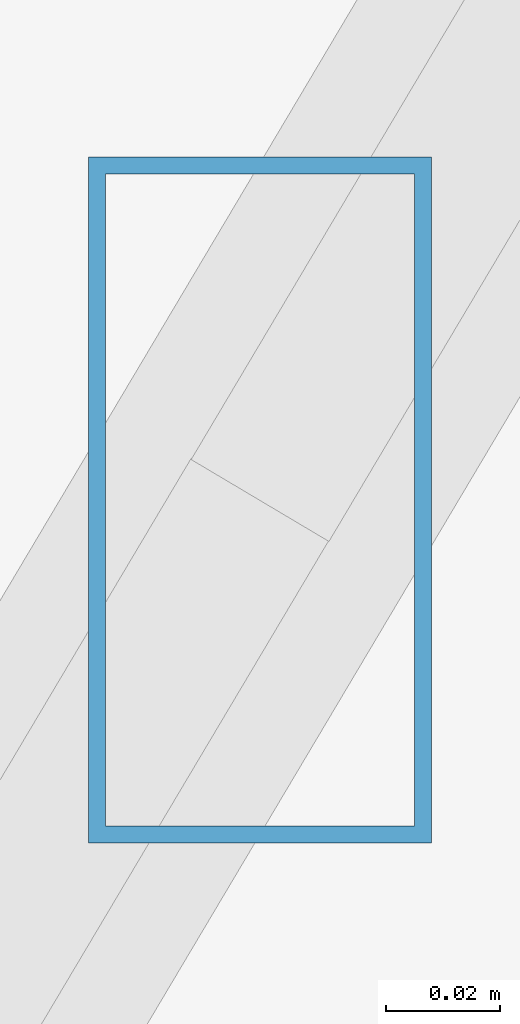
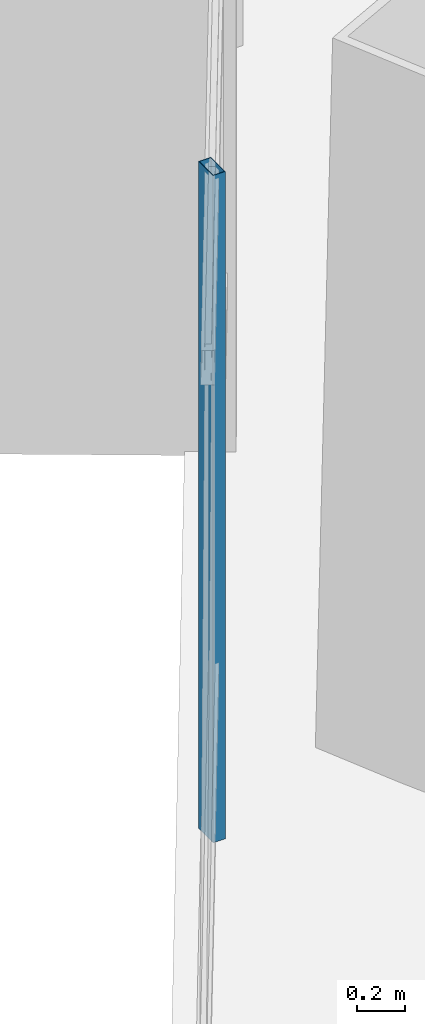
# One storey, part 8 of 47: 1 member, 1 element without a shape of its own.
"""IFC4 building model written with IfcOpenShell, lengths in metres."""

from ifc_helpers import new_model, si_unit, direction, frame, origin, origin_2d, place, context, subcontext, project, spatial, hollow_rectangle, extrude, source, transform, mapped, material, material_profile, profile_set, type_object, type_shapes, element, aggregate, save


model = new_model("IFC4")

# Units and contexts
model_context = context("Model", 3, precision=1e-05, world=origin(), true_north=direction((0.0, 1.0)))
body_context = subcontext(model_context, "Body", "Model", "MODEL_VIEW")
ifc_project = project(units=[si_unit("LENGTHUNIT", "METRE"), si_unit("AREAUNIT", "SQUARE_METRE"), si_unit("VOLUMEUNIT", "CUBIC_METRE"), si_unit("PLANEANGLEUNIT", "RADIAN"), si_unit("MASSUNIT", "GRAM", prefix="KILO")], contexts=[model_context])

# Site, building, storey
site_placement = place(None, origin())
site = spatial("IfcSite", under=ifc_project, at=site_placement, CompositionType="ELEMENT")
building_placement = place(site_placement, origin())
building = spatial("IfcBuilding", under=site, at=building_placement, Name="Caelisora Broadcast Tower", CompositionType="ELEMENT")
storey_placement = place(building_placement, frame((0.0, 0.0, 229.85009765625)))
storey = spatial("IfcBuildingStorey", under=building, at=storey_placement, Name="L60", CompositionType="ELEMENT", Elevation=229.85009765625)

# Curtain wall, member
ifc_material_1 = material(Name="Unitised Aluminium and Low-E Glass Curtain Wall", Category="glass")
curtain_wall_type = type_object("IfcCurtainWallType", Name="CW-Z5", PredefinedType="NOTDEFINED", material=ifc_material_1)
curtain_wall_placement = place(storey_placement, origin())
curtain_wall = element("IfcCurtainWall", 1, at=curtain_wall_placement, inside=storey, type_object=curtain_wall_type, Name="L60 curtain wall CW-Z5", PredefinedType="NOTDEFINED")
ifc_material_2 = material(Name="Aluminium 6063-T6 Anodised Terracotta Bronze", Category="aluminium")
ifc_material_profile = material_profile(ifc_material_2, hollow_rectangle(XDim=0.06005859375, YDim=0.1201171875, WallThickness=0.0029296875, at=origin_2d()), Name="Aluminium 6063-T6 Anodised Terracotta Bronze")
ifc_profile_set = profile_set([ifc_material_profile], Name="Aluminium 6063-T6 Anodised Terracotta Bronze")
member_type = type_object("IfcMemberType", Name="CWM-04", PredefinedType="MULLION", material=ifc_profile_set)
shared_shape = source(origin(), body_context, "Body", "SweptSolid", [
    extrude(hollow_rectangle(XDim=0.06005859375, YDim=0.1201171875, WallThickness=0.0029296875, at=origin_2d()), origin(), (0.0, 0.0, 1.0), 3.39990234375),
])
type_shapes(member_type, [shared_shape])
member_placement = place(storey_placement, frame((14.94921875, 16.43701171875, 0.0), z_axis=(0.0, 0.0, 1.0), x_axis=(1.0, 0.0, 0.0)))
member = element("IfcMember", 2, at=member_placement, type_object=member_type, Name="L60-CW-B09 mullion #1", PredefinedType="MULLION", context=body_context, shape_type="MappedRepresentation", body=[
    mapped(shared_shape, transform((0.0, 0.0, 0.0), scale=1.0)),
])
aggregate(curtain_wall, [member])

save(model, "model.ifc")
